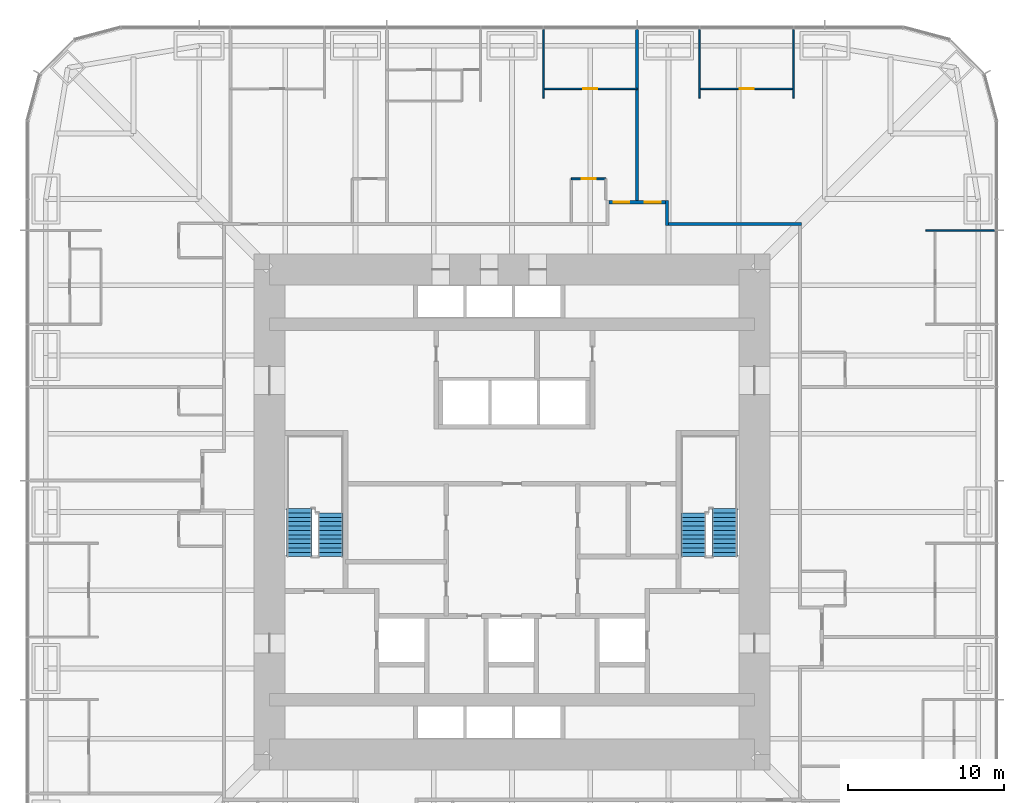
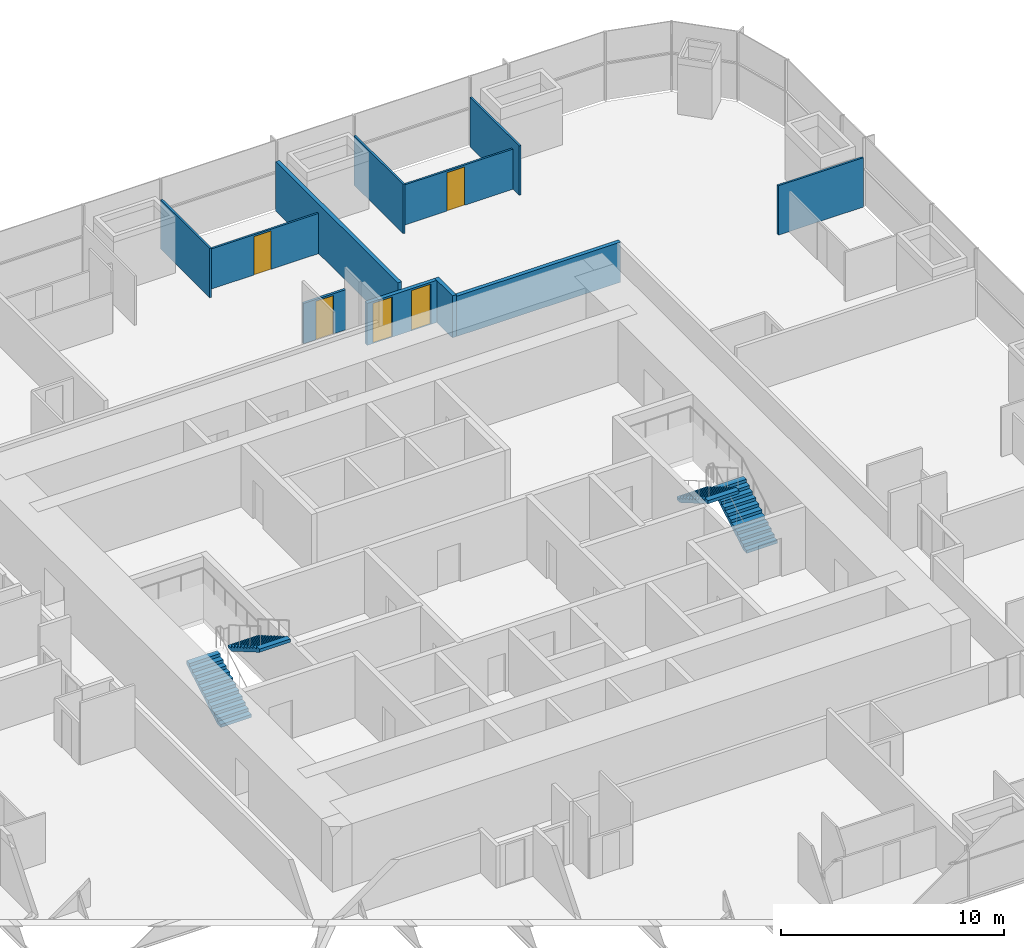
# One storey, part 16 of 17: 11 walls, 5 doors, 4 stair flights, 5 openings, 2 elements without a shape of their own.
"""IFC4 building model written with IfcOpenShell, lengths in metres."""

from ifc_helpers import new_model, si_unit, direction, frame, frame_2d, origin, place, context, subcontext, project, spatial, polyline, rectangle, outline, extrude, material, layer, layer_set, type_object, element, fill, aggregate, save


model = new_model("IFC4")

# Units and contexts
model_context = context("Model", 3, precision=1e-05, world=origin(), true_north=direction((0.0, 1.0)))
body_context = subcontext(model_context, "Body", "Model", "MODEL_VIEW")
ifc_project = project(units=[si_unit("LENGTHUNIT", "METRE"), si_unit("AREAUNIT", "SQUARE_METRE"), si_unit("VOLUMEUNIT", "CUBIC_METRE"), si_unit("PLANEANGLEUNIT", "RADIAN"), si_unit("MASSUNIT", "GRAM", prefix="KILO")], contexts=[model_context])

# Site, building, storey
site_placement = place(None, origin())
site = spatial("IfcSite", under=ifc_project, at=site_placement, CompositionType="ELEMENT")
building_placement = place(site_placement, origin())
building = spatial("IfcBuilding", under=site, at=building_placement, Name="Khuree Lantern Residences", CompositionType="ELEMENT")
storey_placement = place(building_placement, frame((0.0, 0.0, 96.0)))
storey = spatial("IfcBuildingStorey", under=building, at=storey_placement, Name="L24", CompositionType="ELEMENT", Elevation=96.0)

# Wall, opening, door
ifc_material_1 = material(Name="Moisture-resistant gypsum board on steel studs", Category="steel")
ifc_layer_1 = layer(ifc_material_1, 0.125)
ifc_layer_set_1 = layer_set([ifc_layer_1], Name="BATHROOM WALL BTW125")
wall_type_1 = type_object("IfcWallType", Name="BATHROOM WALL BTW125", PredefinedType="PARTITIONING", material=ifc_layer_set_1)
wall_1_placement = place(storey_placement, frame((6.0, 21.300048828125, 0.0), z_axis=(0.0, 0.0, 1.0), x_axis=(-1.0, 0.0, 0.0)))
wall_1 = element("IfcWall", 1, at=wall_1_placement, inside=storey, type_object=wall_type_1, Name="L24 BATHROOM WALL 03", PredefinedType="PARTITIONING", context=body_context, shape_type="SweptSolid", body=[
    extrude(rectangle(XDim=2.199951171875, YDim=0.125, at=frame_2d((1.10009765625, 0.0))), origin(), (0.0, 0.0, 1.0), 2.199951171875),
])
opening_1_placement = place(wall_1_placement, frame((0.64990234375, 0.0, 0.0)))
opening_1 = element("IfcOpeningElement", 2, at=opening_1_placement, cuts=wall_1, Name="Opening 24-033", PredefinedType="OPENING", context=body_context, shape_type="SweptSolid", body=[
    extrude(rectangle(XDim=0.89990234375, YDim=2.10009765625, at=frame_2d((0.449951171875, 1.050048828125))), frame((0.0, 0.072509765625, 0.0), z_axis=(0.0, -1.0, 0.0), x_axis=(1.0, 0.0, 0.0)), (0.0, 0.0, 1.0), 0.14501953125),
])
ifc_material_2 = material(Name="Timber door leaf in hardwood frame", Category="wood")
door_type_1 = type_object("IfcDoorType", Name="BATHROOM DOOR 900X2100", OperationType="SINGLE_SWING_LEFT", PredefinedType="DOOR", material=ifc_material_2)
door_1_placement = place(opening_1_placement, origin())
door_1 = element("IfcDoor", 3, at=door_1_placement, inside=storey, type_object=door_type_1, Name="Bathroom door 24-033", OperationType="SINGLE_SWING_LEFT", OverallHeight=2.10009765625, OverallWidth=0.89990234375, PredefinedType="DOOR", context=body_context, shape_type="SweptSolid", body=[
    extrude(rectangle(XDim=0.89990234375, YDim=2.10009765625, at=frame_2d((0.449951171875, 1.050048828125))), frame((0.0, 0.02490234375, 0.0), z_axis=(0.0, -1.0, 0.0), x_axis=(1.0, 0.0, 0.0)), (0.0, 0.0, 1.0), 0.050048828125),
])
fill(opening_1, door_1)

# Wall
ifc_material_3 = material(Name="Gypsum board on steel studs", Category="steel")
ifc_layer_2 = layer(ifc_material_3, 0.199951171875)
ifc_layer_set_2 = layer_set([ifc_layer_2], Name="CORRIDOR WALL CRW200 EI 60")
wall_type_2 = type_object("IfcWallType", Name="CORRIDOR WALL CRW200 EI 60", PredefinedType="PARTITIONING", material=ifc_layer_set_2)
wall_2_placement = place(storey_placement, frame((9.89990234375, 18.300048828125, 0.0), z_axis=(0.0, 0.0, 1.0), x_axis=(0.0, 1.0, 0.0)))
element("IfcWall", 4, at=wall_2_placement, inside=storey, type_object=wall_type_2, Name="L24 CORRIDOR ALCOVE WALL NORTH", PredefinedType="PARTITIONING", context=body_context, shape_type="SweptSolid", body=[
    extrude(rectangle(XDim=1.599853515625, YDim=0.199951171875, at=frame_2d((0.7998046875, 0.0))), origin(), (0.0, 0.0, 1.0), 2.300048828125),
])

# Wall, openings, doors
wall_3_placement = place(storey_placement, frame((6.199951171875, 19.800048828125, 0.0), z_axis=(0.0, 0.0, 1.0), x_axis=(1.0, 0.0, 0.0)))
wall_3 = element("IfcWall", 5, at=wall_3_placement, inside=storey, type_object=wall_type_2, Name="L24 CORRIDOR ALCOVE WALL NORTH", PredefinedType="PARTITIONING", context=body_context, shape_type="SweptSolid", body=[
    extrude(rectangle(XDim=3.60009765625, YDim=0.199951171875, at=frame_2d((1.800048828125, 0.0))), origin(), (0.0, 0.0, 1.0), 2.300048828125),
])
opening_2_placement = place(wall_3_placement, frame((2.300048828125, 0.0, 0.0)))
opening_2 = element("IfcOpeningElement", 6, at=opening_2_placement, cuts=wall_3, Name="Opening 24-029", PredefinedType="OPENING", context=body_context, shape_type="SweptSolid", body=[
    extrude(rectangle(XDim=1.0, YDim=2.199951171875, at=frame_2d((0.5, 1.10009765625))), frame((0.0, 0.10986328125, 0.0), z_axis=(0.0, -1.0, 0.0), x_axis=(1.0, 0.0, 0.0)), (0.0, 0.0, 1.0), 0.219970703125),
])
opening_3_placement = place(wall_3_placement, frame((0.300048828125, 0.0, 0.0)))
opening_3 = element("IfcOpeningElement", 7, at=opening_3_placement, cuts=wall_3, Name="Opening 24-034", PredefinedType="OPENING", context=body_context, shape_type="SweptSolid", body=[
    extrude(rectangle(XDim=1.0, YDim=2.199951171875, at=frame_2d((0.5, 1.10009765625))), frame((0.0, 0.10986328125, 0.0), z_axis=(0.0, -1.0, 0.0), x_axis=(1.0, 0.0, 0.0)), (0.0, 0.0, 1.0), 0.219970703125),
])
door_type_2 = type_object("IfcDoorType", Name="APARTMENT ENTRANCE DOOR 1000X2200 EI 30S", OperationType="SINGLE_SWING_LEFT", PredefinedType="DOOR", material=ifc_material_2)
door_2_placement = place(opening_2_placement, origin())
door_2 = element("IfcDoor", 8, at=door_2_placement, inside=storey, type_object=door_type_2, Name="Apartment 02 entrance door 24-029", OperationType="SINGLE_SWING_LEFT", OverallHeight=2.199951171875, OverallWidth=1.0, PredefinedType="DOOR", context=body_context, shape_type="SweptSolid", body=[
    extrude(rectangle(XDim=1.0, YDim=2.199951171875, at=frame_2d((0.5, 1.10009765625))), frame((0.0, 0.02490234375, 0.0), z_axis=(0.0, -1.0, 0.0), x_axis=(1.0, 0.0, 0.0)), (0.0, 0.0, 1.0), 0.050048828125),
])
fill(opening_2, door_2)
door_3_placement = place(opening_3_placement, origin())
door_3 = element("IfcDoor", 9, at=door_3_placement, inside=storey, type_object=door_type_2, Name="Apartment 03 entrance door 24-034", OperationType="SINGLE_SWING_LEFT", OverallHeight=2.199951171875, OverallWidth=1.0, PredefinedType="DOOR", context=body_context, shape_type="SweptSolid", body=[
    extrude(rectangle(XDim=1.0, YDim=2.199951171875, at=frame_2d((0.5, 1.10009765625))), frame((0.0, 0.02490234375, 0.0), z_axis=(0.0, -1.0, 0.0), x_axis=(1.0, 0.0, 0.0)), (0.0, 0.0, 1.0), 0.050048828125),
])
fill(opening_3, door_3)

# Walls
wall_4_placement = place(storey_placement, frame((10.0, 18.39990234375, 0.0), z_axis=(0.0, 0.0, 1.0), x_axis=(1.0, 0.0, 0.0)))
element("IfcWall", 10, at=wall_4_placement, inside=storey, type_object=wall_type_2, Name="L24 CORRIDOR WALL NORTH 2", PredefinedType="PARTITIONING", context=body_context, shape_type="SweptSolid", body=[
    extrude(rectangle(XDim=8.5, YDim=0.199951171875, at=frame_2d((4.25, 0.0))), origin(), (0.0, 0.0, 1.0), 2.199951171875),
])
ifc_layer_3 = layer(ifc_material_3, 0.199951171875)
ifc_layer_set_3 = layer_set([ifc_layer_3], Name="DEMISING WALL DMW200 EI 90")
wall_type_3 = type_object("IfcWallType", Name="DEMISING WALL DMW200 EI 90", PredefinedType="PARTITIONING", material=ifc_layer_set_3)
wall_5_placement = place(storey_placement, frame((8.0, 19.89990234375, 0.0), z_axis=(0.0, 0.0, 1.0), x_axis=(0.0, 1.0, 0.0)))
element("IfcWall", 11, at=wall_5_placement, inside=storey, type_object=wall_type_3, Name="L24 DEMISING WALL 03", PredefinedType="PARTITIONING", context=body_context, shape_type="SweptSolid", body=[
    extrude(rectangle(XDim=10.9501953125, YDim=0.199951171875, at=frame_2d((5.47509765625, 0.0))), origin(), (0.0, 0.0, 1.0), 2.699951171875),
])
ifc_layer_4 = layer(ifc_material_3, 0.10009765625)
ifc_layer_set_4 = layer_set([ifc_layer_4], Name="PARTITION PT100")
wall_type_4 = type_object("IfcWallType", Name="PARTITION PT100", PredefinedType="PARTITIONING", material=ifc_layer_set_4)
for number, where, z_axis, x_axis, name in (
    (12, (26.449951171875, 18.0, 0.0), (0.0, 0.0, 1.0), (1.0, 0.0, 0.0), "L24 PARTITION 02"),
    (13, (18.0, 26.449951171875, 0.0), (0.0, 0.0, 1.0), (0.0, 1.0, 0.0), "L24 PARTITION 02"),
    (14, (12.0, 26.449951171875, 0.0), (0.0, 0.0, 1.0), (0.0, 1.0, 0.0), "L24 PARTITION 02"),
    (15, (2.0, 26.449951171875, 0.0), (0.0, 0.0, 1.0), (0.0, 1.0, 0.0), "L24 PARTITION 03"),
):
    element("IfcWall", number, at=place(storey_placement, frame(where, z_axis=z_axis, x_axis=x_axis)), inside=storey, type_object=wall_type_4, Name=name, PredefinedType="PARTITIONING", context=body_context, shape_type="SweptSolid", body=[
        extrude(rectangle(XDim=4.400146484375, YDim=0.10009765625, at=frame_2d((2.2001953125, 0.0))), origin(), (0.0, 0.0, 1.0), 2.699951171875),
    ])

# Wall, opening, door
wall_6_placement = place(storey_placement, frame((18.0, 27.050048828125, 0.0), z_axis=(0.0, 0.0, 1.0), x_axis=(-1.0, 0.0, 0.0)))
wall_6 = element("IfcWall", 16, at=wall_6_placement, inside=storey, type_object=wall_type_4, Name="L24 PARTITION 02", PredefinedType="PARTITIONING", context=body_context, shape_type="SweptSolid", body=[
    extrude(rectangle(XDim=6.0, YDim=0.10009765625, at=frame_2d((3.0, 0.0))), origin(), (0.0, 0.0, 1.0), 2.199951171875),
])
opening_4_placement = place(wall_6_placement, frame((2.550048828125, 0.0, 0.0)))
opening_4 = element("IfcOpeningElement", 17, at=opening_4_placement, cuts=wall_6, Name="Opening 24-027", PredefinedType="OPENING", context=body_context, shape_type="SweptSolid", body=[
    extrude(rectangle(XDim=0.89990234375, YDim=2.10009765625, at=frame_2d((0.449951171875, 1.050048828125))), frame((0.0, 0.06005859375, 0.0), z_axis=(0.0, -1.0, 0.0), x_axis=(1.0, 0.0, 0.0)), (0.0, 0.0, 1.0), 0.1201171875),
])
door_type_3 = type_object("IfcDoorType", Name="BEDROOM DOOR 900X2100", OperationType="SINGLE_SWING_LEFT", PredefinedType="DOOR", material=ifc_material_2)
door_4_placement = place(opening_4_placement, origin())
door_4 = element("IfcDoor", 18, at=door_4_placement, inside=storey, type_object=door_type_3, Name="Bedroom door 24-027", OperationType="SINGLE_SWING_LEFT", OverallHeight=2.10009765625, OverallWidth=0.89990234375, PredefinedType="DOOR", context=body_context, shape_type="SweptSolid", body=[
    extrude(rectangle(XDim=0.89990234375, YDim=2.10009765625, at=frame_2d((0.449951171875, 1.050048828125))), frame((0.0, 0.02490234375, 0.0), z_axis=(0.0, -1.0, 0.0), x_axis=(1.0, 0.0, 0.0)), (0.0, 0.0, 1.0), 0.050048828125),
])
fill(opening_4, door_4)

wall_7_placement = place(storey_placement, frame((8.0, 27.050048828125, 0.0), z_axis=(0.0, 0.0, 1.0), x_axis=(-1.0, 0.0, 0.0)))
wall_7 = element("IfcWall", 19, at=wall_7_placement, inside=storey, type_object=wall_type_4, Name="L24 PARTITION 03", PredefinedType="PARTITIONING", context=body_context, shape_type="SweptSolid", body=[
    extrude(rectangle(XDim=6.0, YDim=0.10009765625, at=frame_2d((3.0, 0.0))), origin(), (0.0, 0.0, 1.0), 2.199951171875),
])
opening_5_placement = place(wall_7_placement, frame((2.550048828125, 0.0, 0.0)))
opening_5 = element("IfcOpeningElement", 20, at=opening_5_placement, cuts=wall_7, Name="Opening 24-030", PredefinedType="OPENING", context=body_context, shape_type="SweptSolid", body=[
    extrude(rectangle(XDim=0.89990234375, YDim=2.10009765625, at=frame_2d((0.449951171875, 1.050048828125))), frame((0.0, 0.06005859375, 0.0), z_axis=(0.0, -1.0, 0.0), x_axis=(1.0, 0.0, 0.0)), (0.0, 0.0, 1.0), 0.1201171875),
])
door_5_placement = place(opening_5_placement, origin())
door_5 = element("IfcDoor", 21, at=door_5_placement, inside=storey, type_object=door_type_3, Name="Bedroom door 24-030", OperationType="SINGLE_SWING_LEFT", OverallHeight=2.10009765625, OverallWidth=0.89990234375, PredefinedType="DOOR", context=body_context, shape_type="SweptSolid", body=[
    extrude(rectangle(XDim=0.89990234375, YDim=2.10009765625, at=frame_2d((0.449951171875, 1.050048828125))), frame((0.0, 0.02490234375, 0.0), z_axis=(0.0, -1.0, 0.0), x_axis=(1.0, 0.0, 0.0)), (0.0, 0.0, 1.0), 0.050048828125),
])
fill(opening_5, door_5)

# Stair, stair flights
ifc_material_4 = material(Name="Concrete C40/50", Category="concrete")
stair_type = type_object("IfcStairType", Name="STAIR ST1 HALF TURN 3600", PredefinedType="HALF_TURN_STAIR", material=ifc_material_4)
stair_1_placement = place(storey_placement, origin())
stair_1 = element("IfcStair", 22, at=stair_1_placement, inside=storey, type_object=stair_type, Name="Stair ST1", PredefinedType="HALF_TURN_STAIR")
stair_flight_type = type_object("IfcStairFlightType", Name="STAIR FLIGHT SF1 1600", PredefinedType="STRAIGHT", material=ifc_material_4)
stair_flight_1_placement = place(storey_placement, frame((-13.60009765625, -2.860107421875, 0.0), z_axis=(0.0, 0.0, 1.0), x_axis=(0.0, 1.0, 0.0)))
stair_flight_1 = element("IfcStairFlight", 23, at=stair_flight_1_placement, type_object=stair_flight_type, Name="ST1 flight 1", NumberOfRisers=12, NumberOfTreads=11, PredefinedType="STRAIGHT", RiserHeight=0.163043478, TreadLength=0.28, context=body_context, shape_type="SweptSolid", body=[
    extrude(outline(polyline([(0.0, 0.0), (0.0, 0.1630859375), (0.280029296875, 0.1630859375), (0.280029296875, 0.326171875), (0.56005859375, 0.326171875), (0.56005859375, 0.489013671875), (0.840087890625, 0.489013671875), (0.840087890625, 0.652099609375), (1.1201171875, 0.652099609375), (1.1201171875, 0.815185546875), (1.39990234375, 0.815185546875), (1.39990234375, 0.978271484375), (1.679931640625, 0.978271484375), (1.679931640625, 1.141357421875), (1.9599609375, 1.141357421875), (1.9599609375, 1.304443359375), (2.239990234375, 1.304443359375), (2.239990234375, 1.46728515625), (2.52001953125, 1.46728515625), (2.52001953125, 1.63037109375), (2.800048828125, 1.63037109375), (2.800048828125, 1.79345703125), (3.080078125, 1.79345703125), (3.080078125, 1.95654296875), (3.080078125, 1.6201171875), (0.2978515625, 0.0), (0.0, 0.0)])), frame((0.0, 0.800048828125, 0.0), z_axis=(0.0, -1.0, 0.0), x_axis=(1.0, 0.0, 0.0)), (0.0, 0.0, 1.0), 1.60009765625),
])
stair_flight_2_placement = place(storey_placement, frame((-11.60009765625, -0.06005859375, 1.95654296875), z_axis=(0.0, 0.0, 1.0), x_axis=(0.0, -1.0, 0.0)))
stair_flight_2 = element("IfcStairFlight", 24, at=stair_flight_2_placement, type_object=stair_flight_type, Name="ST1 flight 2", NumberOfRisers=11, NumberOfTreads=10, PredefinedType="STRAIGHT", RiserHeight=0.163043478, TreadLength=0.28, context=body_context, shape_type="SweptSolid", body=[
    extrude(outline(polyline([(0.0, 0.0), (0.0, 0.1630859375), (0.280029296875, 0.1630859375), (0.280029296875, 0.326171875), (0.56005859375, 0.326171875), (0.56005859375, 0.489013671875), (0.840087890625, 0.489013671875), (0.840087890625, 0.652099609375), (1.1201171875, 0.652099609375), (1.1201171875, 0.815185546875), (1.39990234375, 0.815185546875), (1.39990234375, 0.978271484375), (1.679931640625, 0.978271484375), (1.679931640625, 1.141357421875), (1.9599609375, 1.141357421875), (1.9599609375, 1.304443359375), (2.239990234375, 1.304443359375), (2.239990234375, 1.46728515625), (2.52001953125, 1.46728515625), (2.52001953125, 1.63037109375), (2.800048828125, 1.63037109375), (2.800048828125, 1.79345703125), (2.800048828125, 1.45703125), (0.2978515625, 0.0), (0.0, 0.0)])), frame((0.0, 0.800048828125, 0.0), z_axis=(0.0, -1.0, 0.0), x_axis=(1.0, 0.0, 0.0)), (0.0, 0.0, 1.0), 1.60009765625),
])
aggregate(stair_1, [stair_flight_1, stair_flight_2])

stair_2_placement = place(storey_placement, origin())
stair_2 = element("IfcStair", 25, at=stair_2_placement, inside=storey, type_object=stair_type, Name="Stair ST2", PredefinedType="HALF_TURN_STAIR")
stair_flight_3_placement = place(storey_placement, frame((13.60009765625, -2.860107421875, 0.0), z_axis=(0.0, 0.0, 1.0), x_axis=(0.0, 1.0, 0.0)))
stair_flight_3 = element("IfcStairFlight", 26, at=stair_flight_3_placement, type_object=stair_flight_type, Name="ST2 flight 1", NumberOfRisers=12, NumberOfTreads=11, PredefinedType="STRAIGHT", RiserHeight=0.163043478, TreadLength=0.28, context=body_context, shape_type="SweptSolid", body=[
    extrude(outline(polyline([(0.0, 0.0), (0.0, 0.1630859375), (0.280029296875, 0.1630859375), (0.280029296875, 0.326171875), (0.56005859375, 0.326171875), (0.56005859375, 0.489013671875), (0.840087890625, 0.489013671875), (0.840087890625, 0.652099609375), (1.1201171875, 0.652099609375), (1.1201171875, 0.815185546875), (1.39990234375, 0.815185546875), (1.39990234375, 0.978271484375), (1.679931640625, 0.978271484375), (1.679931640625, 1.141357421875), (1.9599609375, 1.141357421875), (1.9599609375, 1.304443359375), (2.239990234375, 1.304443359375), (2.239990234375, 1.46728515625), (2.52001953125, 1.46728515625), (2.52001953125, 1.63037109375), (2.800048828125, 1.63037109375), (2.800048828125, 1.79345703125), (3.080078125, 1.79345703125), (3.080078125, 1.95654296875), (3.080078125, 1.6201171875), (0.2978515625, 0.0), (0.0, 0.0)])), frame((0.0, 0.800048828125, 0.0), z_axis=(0.0, -1.0, 0.0), x_axis=(1.0, 0.0, 0.0)), (0.0, 0.0, 1.0), 1.60009765625),
])
stair_flight_4_placement = place(storey_placement, frame((11.60009765625, -0.06005859375, 1.95654296875), z_axis=(0.0, 0.0, 1.0), x_axis=(0.0, -1.0, 0.0)))
stair_flight_4 = element("IfcStairFlight", 27, at=stair_flight_4_placement, type_object=stair_flight_type, Name="ST2 flight 2", NumberOfRisers=11, NumberOfTreads=10, PredefinedType="STRAIGHT", RiserHeight=0.163043478, TreadLength=0.28, context=body_context, shape_type="SweptSolid", body=[
    extrude(outline(polyline([(0.0, 0.0), (0.0, 0.1630859375), (0.280029296875, 0.1630859375), (0.280029296875, 0.326171875), (0.56005859375, 0.326171875), (0.56005859375, 0.489013671875), (0.840087890625, 0.489013671875), (0.840087890625, 0.652099609375), (1.1201171875, 0.652099609375), (1.1201171875, 0.815185546875), (1.39990234375, 0.815185546875), (1.39990234375, 0.978271484375), (1.679931640625, 0.978271484375), (1.679931640625, 1.141357421875), (1.9599609375, 1.141357421875), (1.9599609375, 1.304443359375), (2.239990234375, 1.304443359375), (2.239990234375, 1.46728515625), (2.52001953125, 1.46728515625), (2.52001953125, 1.63037109375), (2.800048828125, 1.63037109375), (2.800048828125, 1.79345703125), (2.800048828125, 1.45703125), (0.2978515625, 0.0), (0.0, 0.0)])), frame((0.0, 0.800048828125, 0.0), z_axis=(0.0, -1.0, 0.0), x_axis=(1.0, 0.0, 0.0)), (0.0, 0.0, 1.0), 1.60009765625),
])
aggregate(stair_2, [stair_flight_3, stair_flight_4])

save(model, "model.ifc")
